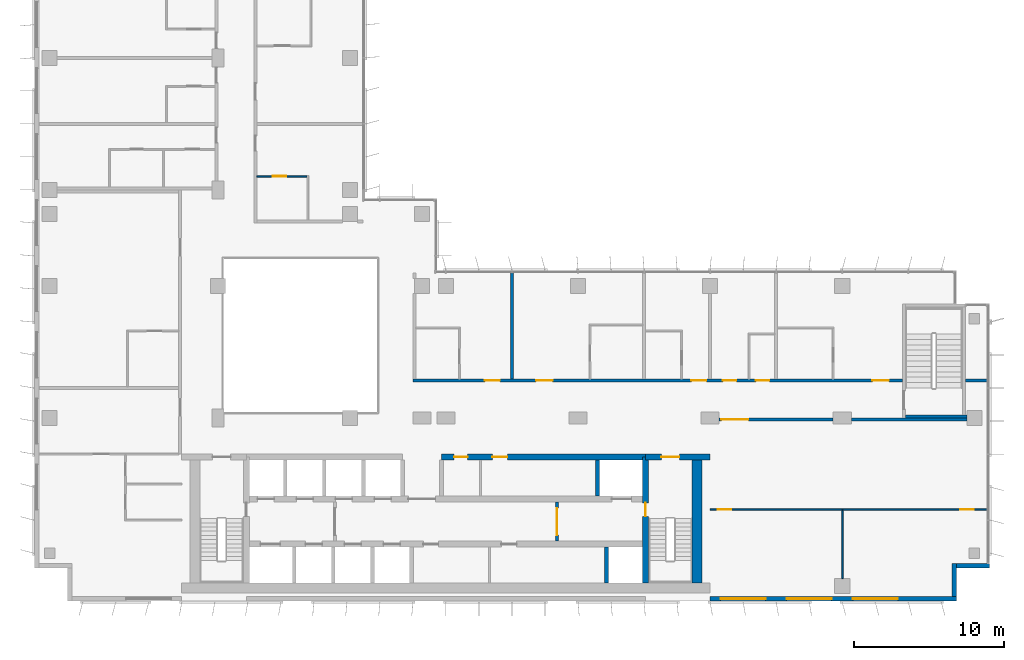
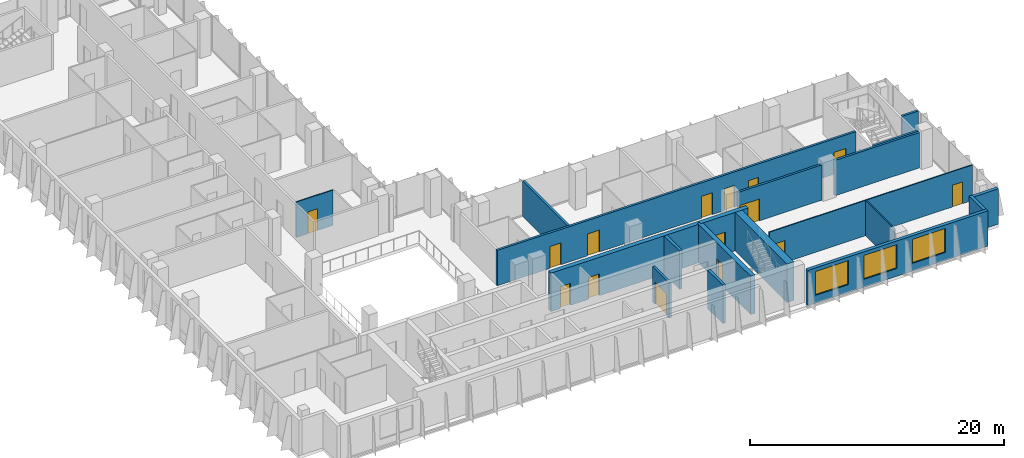
# One storey, part 14 of 21: 19 walls, 15 doors, 3 windows, 18 openings.
"""IFC4 building model written with IfcOpenShell, lengths in metres."""

from ifc_helpers import new_model, si_unit, direction, frame, frame_2d, origin, place, context, subcontext, project, spatial, rectangle, extrude, material, layer, layer_set, type_object, element, fill, save


model = new_model("IFC4")

# Units and contexts
model_context = context("Model", 3, precision=1e-05, world=origin(), true_north=direction((0.0, 1.0)))
body_context = subcontext(model_context, "Body", "Model", "MODEL_VIEW")
ifc_project = project(units=[si_unit("LENGTHUNIT", "METRE"), si_unit("AREAUNIT", "SQUARE_METRE"), si_unit("VOLUMEUNIT", "CUBIC_METRE"), si_unit("PLANEANGLEUNIT", "RADIAN"), si_unit("MASSUNIT", "GRAM", prefix="KILO")], contexts=[model_context])

# Site, building, storey
site_placement = place(None, origin())
site = spatial("IfcSite", under=ifc_project, at=site_placement, CompositionType="ELEMENT")
building_placement = place(site_placement, origin())
building = spatial("IfcBuilding", under=site, at=building_placement, Name="Kemantara Hotel Tower", CompositionType="ELEMENT")
storey_placement = place(building_placement, frame((0.0, 0.0, 175.300048828125)))
storey = spatial("IfcBuildingStorey", under=building, at=storey_placement, Name="L43", CompositionType="ELEMENT", Elevation=175.300048828125)

# Wall, openings, windows
ifc_material_1 = material(Name="Bronze anodised aluminium cladding on insulated steel stud wall", Category="steel")
ifc_layer_1 = layer(ifc_material_1, 0.300048828125)
ifc_layer_set_1 = layer_set([ifc_layer_1], Name="Bronze anodised aluminium cladding on insulated steel stud wall")
wall_type_1 = type_object("IfcWallType", Name="BRONZE METAL-CLAD EXTERNAL WALL 300", PredefinedType="STANDARD", material=ifc_layer_set_1)
wall_1_placement = place(storey_placement, frame((45.0, 0.14990234375, 0.0), z_axis=(0.0, 0.0, 1.0), x_axis=(1.0, 0.0, 0.0)))
wall_1 = element("IfcWall", 1, at=wall_1_placement, inside=storey, type_object=wall_type_1, Name="EXTERNAL WALL L43 T3-R08-3", PredefinedType="STANDARD", context=body_context, shape_type="SweptSolid", body=[
    extrude(rectangle(XDim=16.39990234375, YDim=0.300048828125, at=frame_2d((8.199951171875, 0.0))), origin(), (0.0, 0.0, 1.0), 3.39990234375),
])
opening_1_placement = place(wall_1_placement, frame((0.699951171875, 0.0, 0.75)))
opening_1 = element("IfcOpeningElement", 2, at=opening_1_placement, cuts=wall_1, Name="Opening W1", PredefinedType="OPENING", context=body_context, shape_type="SweptSolid", body=[
    extrude(rectangle(XDim=3.0, YDim=2.300048828125, at=frame_2d((1.5, 1.14990234375))), frame((0.0, 0.159912109375, 0.0), z_axis=(0.0, -1.0, 0.0), x_axis=(1.0, 0.0, 0.0)), (0.0, 0.0, 1.0), 0.320068359375),
])
opening_2_placement = place(wall_1_placement, frame((5.10009765625, 0.0, 0.75)))
opening_2 = element("IfcOpeningElement", 3, at=opening_2_placement, cuts=wall_1, Name="Opening W1", PredefinedType="OPENING", context=body_context, shape_type="SweptSolid", body=[
    extrude(rectangle(XDim=3.0, YDim=2.300048828125, at=frame_2d((1.5, 1.14990234375))), frame((0.0, 0.159912109375, 0.0), z_axis=(0.0, -1.0, 0.0), x_axis=(1.0, 0.0, 0.0)), (0.0, 0.0, 1.0), 0.320068359375),
])
opening_3_placement = place(wall_1_placement, frame((9.5, 0.0, 0.75)))
opening_3 = element("IfcOpeningElement", 4, at=opening_3_placement, cuts=wall_1, Name="Opening W1", PredefinedType="OPENING", context=body_context, shape_type="SweptSolid", body=[
    extrude(rectangle(XDim=3.0, YDim=2.300048828125, at=frame_2d((1.5, 1.14990234375))), frame((0.0, 0.159912109375, 0.0), z_axis=(0.0, -1.0, 0.0), x_axis=(1.0, 0.0, 0.0)), (0.0, 0.0, 1.0), 0.320068359375),
])
ifc_material_2 = material(Name="Low-E tinted double insulated glass in bronze anodised aluminium frame", Category="aluminium")
window_type = type_object("IfcWindowType", Name="CHICAGO WINDOW, TRIPLE PANEL 3000x2300", PartitioningType="TRIPLE_PANEL_VERTICAL", PredefinedType="WINDOW", material=ifc_material_2)
window_1_placement = place(opening_1_placement, origin())
window_1 = element("IfcWindow", 5, at=window_1_placement, inside=storey, type_object=window_type, Name="CHICAGO WINDOW L43 T3-R08-450", OverallHeight=2.300048828125, OverallWidth=3.0, PartitioningType="SINGLE_PANEL", PredefinedType="WINDOW", context=body_context, shape_type="SweptSolid", body=[
    extrude(rectangle(XDim=3.0, YDim=2.300048828125, at=frame_2d((1.5, 1.14990234375))), frame((0.0, 0.030029296875, 0.0), z_axis=(0.0, -1.0, 0.0), x_axis=(1.0, 0.0, 0.0)), (0.0, 0.0, 1.0), 0.06005859375),
])
fill(opening_1, window_1)
window_2_placement = place(opening_2_placement, origin())
window_2 = element("IfcWindow", 6, at=window_2_placement, inside=storey, type_object=window_type, Name="CHICAGO WINDOW L43 T3-R08-494", OverallHeight=2.300048828125, OverallWidth=3.0, PartitioningType="SINGLE_PANEL", PredefinedType="WINDOW", context=body_context, shape_type="SweptSolid", body=[
    extrude(rectangle(XDim=3.0, YDim=2.300048828125, at=frame_2d((1.5, 1.14990234375))), frame((0.0, 0.030029296875, 0.0), z_axis=(0.0, -1.0, 0.0), x_axis=(1.0, 0.0, 0.0)), (0.0, 0.0, 1.0), 0.06005859375),
])
fill(opening_2, window_2)
window_3_placement = place(opening_3_placement, origin())
window_3 = element("IfcWindow", 7, at=window_3_placement, inside=storey, type_object=window_type, Name="CHICAGO WINDOW L43 T3-R08-538", OverallHeight=2.300048828125, OverallWidth=3.0, PartitioningType="SINGLE_PANEL", PredefinedType="WINDOW", context=body_context, shape_type="SweptSolid", body=[
    extrude(rectangle(XDim=3.0, YDim=2.300048828125, at=frame_2d((1.5, 1.14990234375))), frame((0.0, 0.030029296875, 0.0), z_axis=(0.0, -1.0, 0.0), x_axis=(1.0, 0.0, 0.0)), (0.0, 0.0, 1.0), 0.06005859375),
])
fill(opening_3, window_3)

# Walls
wall_2_placement = place(storey_placement, frame((61.25, 0.300048828125, 0.0), z_axis=(0.0, 0.0, 1.0), x_axis=(0.0, 1.0, 0.0)))
element("IfcWall", 8, at=wall_2_placement, inside=storey, type_object=wall_type_1, Name="EXTERNAL WALL L43 T3-R09", PredefinedType="STANDARD", context=body_context, shape_type="SweptSolid", body=[
    extrude(rectangle(XDim=2.199951171875, YDim=0.300048828125, at=frame_2d((1.10009765625, 0.0))), origin(), (0.0, 0.0, 1.0), 3.39990234375),
])
wall_3_placement = place(storey_placement, frame((61.39990234375, 2.35009765625, 0.0), z_axis=(0.0, 0.0, 1.0), x_axis=(1.0, 0.0, 0.0)))
element("IfcWall", 9, at=wall_3_placement, inside=storey, type_object=wall_type_1, Name="EXTERNAL WALL L43 T3-R10", PredefinedType="STANDARD", context=body_context, shape_type="SweptSolid", body=[
    extrude(rectangle(XDim=2.2001953125, YDim=0.300048828125, at=frame_2d((1.10009765625, 0.0))), origin(), (0.0, 0.0, 1.0), 3.39990234375),
])
ifc_material_3 = material(Name="Concrete fc 60 MPa", Category="concrete")
ifc_layer_2 = layer(ifc_material_3, 0.25)
ifc_layer_set_2 = layer_set([ifc_layer_2], Name="Concrete fc 60 MPa")
wall_type_2 = type_object("IfcWallType", Name="CORE WALL 250 FC60", PredefinedType="SHEAR", material=ifc_layer_set_2)
wall_4_placement = place(storey_placement, frame((38.10009765625, 1.199951171875, 0.0), z_axis=(0.0, 0.0, 1.0), x_axis=(0.0, 1.0, 0.0)))
element("IfcWall", 10, at=wall_4_placement, inside=storey, type_object=wall_type_2, Name="CORE WALL CW-DS38.1", PredefinedType="SHEAR", context=body_context, shape_type="SweptSolid", body=[
    extrude(rectangle(XDim=2.400146484375, YDim=0.25, at=frame_2d((1.2001953125, 0.0))), origin(), (0.0, 0.0, 1.0), 3.699951171875),
])
wall_5_placement = place(storey_placement, frame((37.5, 7.0, 0.0), z_axis=(0.0, 0.0, 1.0), x_axis=(0.0, 1.0, 0.0)))
element("IfcWall", 11, at=wall_5_placement, inside=storey, type_object=wall_type_2, Name="CORE WALL CW-DN37.5", PredefinedType="SHEAR", context=body_context, shape_type="SweptSolid", body=[
    extrude(rectangle(XDim=2.39990234375, YDim=0.25, at=frame_2d((1.199951171875, 0.0))), origin(), (0.0, 0.0, 1.0), 3.699951171875),
])

# Wall, opening, door
ifc_layer_3 = layer(ifc_material_3, 0.39990234375)
ifc_layer_set_3 = layer_set([ifc_layer_3], Name="Concrete fc 60 MPa")
wall_type_3 = type_object("IfcWallType", Name="CORE WALL 400 FC60", PredefinedType="SHEAR", material=ifc_layer_set_3)
wall_6_placement = place(storey_placement, frame((40.699951171875, 9.60009765625, 0.0), z_axis=(0.0, 0.0, 1.0), x_axis=(1.0, 0.0, 0.0)))
wall_6 = element("IfcWall", 12, at=wall_6_placement, inside=storey, type_object=wall_type_3, Name="CORE WALL CW-N2", PredefinedType="SHEAR", context=body_context, shape_type="SweptSolid", body=[
    extrude(rectangle(XDim=4.300048828125, YDim=0.39990234375, at=frame_2d((2.14990234375, 0.0))), origin(), (0.0, 0.0, 1.0), 3.699951171875),
])
opening_4_placement = place(wall_6_placement, frame((1.050048828125, 0.0, 0.0)))
opening_4 = element("IfcOpeningElement", 13, at=opening_4_placement, cuts=wall_6, Name="Opening C26-ST2-C", PredefinedType="OPENING", context=body_context, shape_type="SweptSolid", body=[
    extrude(rectangle(XDim=1.199951171875, YDim=2.10009765625, at=frame_2d((0.60009765625, 1.050048828125))), frame((0.0, 0.2099609375, 0.0), z_axis=(0.0, -1.0, 0.0), x_axis=(1.0, 0.0, 0.0)), (0.0, 0.0, 1.0), 0.419921875),
])
ifc_material_4 = material(Name="Steel fire door", Category="steel")
door_type_1 = type_object("IfcDoorType", Name="Fire door FD90 1200 x 2100", OperationType="NOTDEFINED", PredefinedType="DOOR", material=ifc_material_4)
door_1_placement = place(opening_4_placement, frame((1.199951171875, 0.0, 0.0), z_axis=(0.0, 0.0, 1.0), x_axis=(-1.0, 0.0, 0.0)))
door_1 = element("IfcDoor", 14, at=door_1_placement, inside=storey, type_object=door_type_1, Name="Stair ST2 door to corridor", OperationType="SINGLE_SWING_RIGHT", OverallHeight=2.10009765625, OverallWidth=1.199951171875, PredefinedType="DOOR", context=body_context, shape_type="SweptSolid", body=[
    extrude(rectangle(XDim=1.199951171875, YDim=2.10009765625, at=frame_2d((0.60009765625, 1.050048828125))), frame((0.0, 0.02490234375, 0.0), z_axis=(0.0, -1.0, 0.0), x_axis=(1.0, 0.0, 0.0)), (0.0, 0.0, 1.0), 0.050048828125),
])
fill(opening_4, door_1)

# Wall, openings, doors
wall_7_placement = place(storey_placement, frame((27.10009765625, 9.60009765625, 0.0), z_axis=(0.0, 0.0, 1.0), x_axis=(1.0, 0.0, 0.0)))
wall_7 = element("IfcWall", 15, at=wall_7_placement, inside=storey, type_object=wall_type_3, Name="CORE WALL CW-NN2", PredefinedType="SHEAR", context=body_context, shape_type="SweptSolid", body=[
    extrude(rectangle(XDim=13.599853515625, YDim=0.39990234375, at=frame_2d((6.7998046875, 0.0))), origin(), (0.0, 0.0, 1.0), 3.699951171875),
])
opening_5_placement = place(wall_7_placement, frame((0.85009765625, 0.0, 0.0)))
opening_5 = element("IfcOpeningElement", 16, at=opening_5_placement, cuts=wall_7, Name="Opening C26-R-NE1", PredefinedType="OPENING", context=body_context, shape_type="SweptSolid", body=[
    extrude(rectangle(XDim=0.89990234375, YDim=2.10009765625, at=frame_2d((0.449951171875, 1.050048828125))), frame((0.0, 0.2099609375, 0.0), z_axis=(0.0, -1.0, 0.0), x_axis=(1.0, 0.0, 0.0)), (0.0, 0.0, 1.0), 0.419921875),
])
opening_6_placement = place(wall_7_placement, frame((3.39990234375, 0.0, 0.0)))
opening_6 = element("IfcOpeningElement", 17, at=opening_6_placement, cuts=wall_7, Name="Opening C26-R-NE2", PredefinedType="OPENING", context=body_context, shape_type="SweptSolid", body=[
    extrude(rectangle(XDim=1.0, YDim=2.10009765625, at=frame_2d((0.5, 1.050048828125))), frame((0.0, 0.2099609375, 0.0), z_axis=(0.0, -1.0, 0.0), x_axis=(1.0, 0.0, 0.0)), (0.0, 0.0, 1.0), 0.419921875),
])
door_type_2 = type_object("IfcDoorType", Name="Fire door FD30S 1000 x 2100", OperationType="NOTDEFINED", PredefinedType="DOOR", material=ifc_material_4)
door_2_placement = place(opening_6_placement, frame((1.0, 0.0, 0.0), z_axis=(0.0, 0.0, 1.0), x_axis=(-1.0, 0.0, 0.0)))
door_2 = element("IfcDoor", 18, at=door_2_placement, inside=storey, type_object=door_type_2, Name="Linen Store door", OperationType="SINGLE_SWING_RIGHT", OverallHeight=2.10009765625, OverallWidth=1.0, PredefinedType="DOOR", context=body_context, shape_type="SweptSolid", body=[
    extrude(rectangle(XDim=1.0, YDim=2.10009765625, at=frame_2d((0.5, 1.050048828125))), frame((0.0, 0.02490234375, 0.0), z_axis=(0.0, -1.0, 0.0), x_axis=(1.0, 0.0, 0.0)), (0.0, 0.0, 1.0), 0.050048828125),
])
fill(opening_6, door_2)
door_type_3 = type_object("IfcDoorType", Name="Fire door FD30S 900 x 2100", OperationType="NOTDEFINED", PredefinedType="DOOR", material=ifc_material_4)
door_3_placement = place(opening_5_placement, frame((0.89990234375, 0.0, 0.0), z_axis=(0.0, 0.0, 1.0), x_axis=(-1.0, 0.0, 0.0)))
door_3 = element("IfcDoor", 19, at=door_3_placement, inside=storey, type_object=door_type_3, Name="Staff Wc door", OperationType="SINGLE_SWING_RIGHT", OverallHeight=2.10009765625, OverallWidth=0.89990234375, PredefinedType="DOOR", context=body_context, shape_type="SweptSolid", body=[
    extrude(rectangle(XDim=0.89990234375, YDim=2.10009765625, at=frame_2d((0.449951171875, 1.050048828125))), frame((0.0, 0.02490234375, 0.0), z_axis=(0.0, -1.0, 0.0), x_axis=(1.0, 0.0, 0.0)), (0.0, 0.0, 1.0), 0.050048828125),
])
fill(opening_5, door_3)

# Wall, opening, door
wall_8_placement = place(storey_placement, frame((40.699951171875, 1.199951171875, 0.0), z_axis=(0.0, 0.0, 1.0), x_axis=(0.0, 1.0, 0.0)))
wall_8 = element("IfcWall", 20, at=wall_8_placement, inside=storey, type_object=wall_type_3, Name="CORE WALL CW-ST2W", PredefinedType="SHEAR", context=body_context, shape_type="SweptSolid", body=[
    extrude(rectangle(XDim=8.400146484375, YDim=0.39990234375, at=frame_2d((4.2001953125, 0.0))), origin(), (0.0, 0.0, 1.0), 3.699951171875),
])
opening_7_placement = place(wall_8_placement, frame((4.449951171875, 0.0, 0.0)))
opening_7 = element("IfcOpeningElement", 21, at=opening_7_placement, cuts=wall_8, Name="Opening C26-ST2-F", PredefinedType="OPENING", context=body_context, shape_type="SweptSolid", body=[
    extrude(rectangle(XDim=0.89990234375, YDim=2.10009765625, at=frame_2d((0.449951171875, 1.050048828125))), frame((0.0, 0.2099609375, 0.0), z_axis=(0.0, -1.0, 0.0), x_axis=(1.0, 0.0, 0.0)), (0.0, 0.0, 1.0), 0.419921875),
])
door_type_4 = type_object("IfcDoorType", Name="Fire door FD90 900 x 2100", OperationType="NOTDEFINED", PredefinedType="DOOR", material=ifc_material_4)
door_4_placement = place(opening_7_placement, frame((0.89990234375, 0.0, 0.0), z_axis=(0.0, 0.0, 1.0), x_axis=(-1.0, 0.0, 0.0)))
door_4 = element("IfcDoor", 22, at=door_4_placement, inside=storey, type_object=door_type_4, Name="Stair ST2 door to firefighting lobby", OperationType="SINGLE_SWING_LEFT", OverallHeight=2.10009765625, OverallWidth=0.89990234375, PredefinedType="DOOR", context=body_context, shape_type="SweptSolid", body=[
    extrude(rectangle(XDim=0.89990234375, YDim=2.10009765625, at=frame_2d((0.449951171875, 1.050048828125))), frame((0.0, 0.02490234375, 0.0), z_axis=(0.0, -1.0, 0.0), x_axis=(1.0, 0.0, 0.0)), (0.0, 0.0, 1.0), 0.050048828125),
])
fill(opening_7, door_4)

# Wall
ifc_layer_4 = layer(ifc_material_3, 0.64990234375)
ifc_layer_set_4 = layer_set([ifc_layer_4], Name="Concrete fc 60 MPa")
wall_type_4 = type_object("IfcWallType", Name="CORE WALL 650 FC60", PredefinedType="SHEAR", material=ifc_layer_set_4)
wall_9_placement = place(storey_placement, frame((44.125, 1.199951171875, 0.0), z_axis=(0.0, 0.0, 1.0), x_axis=(0.0, 1.0, 0.0)))
element("IfcWall", 23, at=wall_9_placement, inside=storey, type_object=wall_type_4, Name="CORE WALL CW-E", PredefinedType="SHEAR", context=body_context, shape_type="SweptSolid", body=[
    extrude(rectangle(XDim=8.60009765625, YDim=0.64990234375, at=frame_2d((4.300048828125, 0.0))), origin(), (0.0, 0.0, 1.0), 3.699951171875),
])

# Wall, opening, door
ifc_material_5 = material(Name="Gypsum board partition, steel studs and mineral wool, 200 mm", Category="steel")
ifc_layer_5 = layer(ifc_material_5, 0.199951171875)
ifc_layer_set_5 = layer_set([ifc_layer_5], Name="Gypsum board partition, steel studs and mineral wool, 200 mm")
wall_type_5 = type_object("IfcWallType", Name="CORRIDOR WALL 200", PredefinedType="PARTITIONING", material=ifc_layer_set_5)
wall_10_placement = place(storey_placement, frame((53.199951171875, 12.10009765625, 0.0), z_axis=(0.0, 0.0, 1.0), x_axis=(-1.0, 0.0, 0.0)))
wall_10 = element("IfcWall", 24, at=wall_10_placement, inside=storey, type_object=wall_type_5, Name="CORRIDOR WALL 200 001", PredefinedType="PARTITIONING", context=body_context, shape_type="SweptSolid", body=[
    extrude(rectangle(XDim=7.599853515625, YDim=0.199951171875, at=frame_2d((3.7998046875, 0.0))), origin(), (0.0, 0.0, 1.0), 3.39990234375),
])
opening_8_placement = place(wall_10_placement, frame((5.64990234375, 0.0, 0.0)))
opening_8 = element("IfcOpeningElement", 25, at=opening_8_placement, cuts=wall_10, Name="Opening F20-001", PredefinedType="OPENING", context=body_context, shape_type="SweptSolid", body=[
    extrude(rectangle(XDim=1.800048828125, YDim=2.10009765625, at=frame_2d((0.89990234375, 1.050048828125))), frame((0.0, 0.10986328125, 0.0), z_axis=(0.0, -1.0, 0.0), x_axis=(1.0, 0.0, 0.0)), (0.0, 0.0, 1.0), 0.219970703125),
])
ifc_material_6 = material(Name="Hardwood veneer door leaf with steel frame", Category="steel")
door_type_5 = type_object("IfcDoorType", Name="AMENITY ROOM DOOR 1800 X 2100 FD30S", OperationType="NOTDEFINED", PredefinedType="DOOR", material=ifc_material_6)
door_5_placement = place(opening_8_placement, origin())
door_5 = element("IfcDoor", 26, at=door_5_placement, inside=storey, type_object=door_type_5, Name="AMENITY ROOM DOOR F20-001", OperationType="DOUBLE_DOOR_SINGLE_SWING", OverallHeight=2.10009765625, OverallWidth=1.800048828125, PredefinedType="DOOR", context=body_context, shape_type="SweptSolid", body=[
    extrude(rectangle(XDim=1.800048828125, YDim=2.10009765625, at=frame_2d((0.89990234375, 1.050048828125))), frame((0.0, 0.02490234375, 0.0), z_axis=(0.0, -1.0, 0.0), x_axis=(1.0, 0.0, 0.0)), (0.0, 0.0, 1.0), 0.050048828125),
])
fill(opening_8, door_5)

# Wall
wall_11_placement = place(storey_placement, frame((54.400146484375, 12.10009765625, 0.0), z_axis=(0.0, 0.0, 1.0), x_axis=(1.0, 0.0, 0.0)))
element("IfcWall", 27, at=wall_11_placement, inside=storey, type_object=wall_type_5, Name="CORRIDOR WALL 200 002", PredefinedType="PARTITIONING", context=body_context, shape_type="SweptSolid", body=[
    extrude(rectangle(XDim=7.69970703125, YDim=0.199951171875, at=frame_2d((3.849853515625, 0.0))), origin(), (0.0, 0.0, 1.0), 3.39990234375),
])

# Wall, openings, doors
wall_12_placement = place(storey_placement, frame((25.199951171875, 14.699951171875, 0.0), z_axis=(0.0, 0.0, 1.0), x_axis=(1.0, 0.0, 0.0)))
wall_12 = element("IfcWall", 28, at=wall_12_placement, inside=storey, type_object=wall_type_5, Name="CORRIDOR WALL 200 003", PredefinedType="PARTITIONING", context=body_context, shape_type="SweptSolid", body=[
    extrude(rectangle(XDim=32.60009765625, YDim=0.199951171875, at=frame_2d((16.300048828125, 0.0))), origin(), (0.0, 0.0, 1.0), 3.39990234375),
])
opening_9_placement = place(wall_12_placement, frame((4.800048828125, 0.0, 0.0)))
opening_9 = element("IfcOpeningElement", 29, at=opening_9_placement, cuts=wall_12, Name="Opening F20-004", PredefinedType="OPENING", context=body_context, shape_type="SweptSolid", body=[
    extrude(rectangle(XDim=1.0, YDim=2.10009765625, at=frame_2d((0.5, 1.050048828125))), frame((0.0, 0.10986328125, 0.0), z_axis=(0.0, -1.0, 0.0), x_axis=(1.0, 0.0, 0.0)), (0.0, 0.0, 1.0), 0.219970703125),
])
opening_10_placement = place(wall_12_placement, frame((8.199951171875, 0.0, 0.0)))
opening_10 = element("IfcOpeningElement", 30, at=opening_10_placement, cuts=wall_12, Name="Opening F20-006", PredefinedType="OPENING", context=body_context, shape_type="SweptSolid", body=[
    extrude(rectangle(XDim=1.10009765625, YDim=2.10009765625, at=frame_2d((0.550048828125, 1.050048828125))), frame((0.0, 0.10986328125, 0.0), z_axis=(0.0, -1.0, 0.0), x_axis=(1.0, 0.0, 0.0)), (0.0, 0.0, 1.0), 0.219970703125),
])
opening_11_placement = place(wall_12_placement, frame((18.550048828125, 0.0, 0.0)))
opening_11 = element("IfcOpeningElement", 31, at=opening_11_placement, cuts=wall_12, Name="Opening F20-008", PredefinedType="OPENING", context=body_context, shape_type="SweptSolid", body=[
    extrude(rectangle(XDim=1.0, YDim=2.10009765625, at=frame_2d((0.5, 1.050048828125))), frame((0.0, 0.10986328125, 0.0), z_axis=(0.0, -1.0, 0.0), x_axis=(1.0, 0.0, 0.0)), (0.0, 0.0, 1.0), 0.219970703125),
])
opening_12_placement = place(wall_12_placement, frame((20.64990234375, 0.0, 0.0)))
opening_12 = element("IfcOpeningElement", 32, at=opening_12_placement, cuts=wall_12, Name="Opening F20-010", PredefinedType="OPENING", context=body_context, shape_type="SweptSolid", body=[
    extrude(rectangle(XDim=0.89990234375, YDim=2.10009765625, at=frame_2d((0.449951171875, 1.050048828125))), frame((0.0, 0.10986328125, 0.0), z_axis=(0.0, -1.0, 0.0), x_axis=(1.0, 0.0, 0.0)), (0.0, 0.0, 1.0), 0.219970703125),
])
opening_13_placement = place(wall_12_placement, frame((22.85009765625, 0.0, 0.0)))
opening_13 = element("IfcOpeningElement", 33, at=opening_13_placement, cuts=wall_12, Name="Opening F20-011", PredefinedType="OPENING", context=body_context, shape_type="SweptSolid", body=[
    extrude(rectangle(XDim=0.89990234375, YDim=2.10009765625, at=frame_2d((0.449951171875, 1.050048828125))), frame((0.0, 0.10986328125, 0.0), z_axis=(0.0, -1.0, 0.0), x_axis=(1.0, 0.0, 0.0)), (0.0, 0.0, 1.0), 0.219970703125),
])
opening_14_placement = place(wall_12_placement, frame((30.60009765625, 0.0, 0.0)))
opening_14 = element("IfcOpeningElement", 34, at=opening_14_placement, cuts=wall_12, Name="Opening F20-012", PredefinedType="OPENING", context=body_context, shape_type="SweptSolid", body=[
    extrude(rectangle(XDim=1.10009765625, YDim=2.10009765625, at=frame_2d((0.550048828125, 1.050048828125))), frame((0.0, 0.10986328125, 0.0), z_axis=(0.0, -1.0, 0.0), x_axis=(1.0, 0.0, 0.0)), (0.0, 0.0, 1.0), 0.219970703125),
])
door_type_6 = type_object("IfcDoorType", Name="GUEST ROOM DOOR 1000 X 2100 FD30S", OperationType="NOTDEFINED", PredefinedType="DOOR", material=ifc_material_6)
door_6_placement = place(opening_9_placement, origin())
door_6 = element("IfcDoor", 35, at=door_6_placement, inside=storey, type_object=door_type_6, Name="GUEST ROOM DOOR F20-004", OperationType="SINGLE_SWING_RIGHT", OverallHeight=2.10009765625, OverallWidth=1.0, PredefinedType="DOOR", context=body_context, shape_type="SweptSolid", body=[
    extrude(rectangle(XDim=1.0, YDim=2.10009765625, at=frame_2d((0.5, 1.050048828125))), frame((0.0, 0.02490234375, 0.0), z_axis=(0.0, -1.0, 0.0), x_axis=(1.0, 0.0, 0.0)), (0.0, 0.0, 1.0), 0.050048828125),
])
fill(opening_9, door_6)
door_7_placement = place(opening_11_placement, origin())
door_7 = element("IfcDoor", 36, at=door_7_placement, inside=storey, type_object=door_type_6, Name="GUEST ROOM DOOR F20-008", OperationType="SINGLE_SWING_RIGHT", OverallHeight=2.10009765625, OverallWidth=1.0, PredefinedType="DOOR", context=body_context, shape_type="SweptSolid", body=[
    extrude(rectangle(XDim=1.0, YDim=2.10009765625, at=frame_2d((0.5, 1.050048828125))), frame((0.0, 0.02490234375, 0.0), z_axis=(0.0, -1.0, 0.0), x_axis=(1.0, 0.0, 0.0)), (0.0, 0.0, 1.0), 0.050048828125),
])
fill(opening_11, door_7)
door_type_7 = type_object("IfcDoorType", Name="GUEST ROOM DOOR 1100 X 2100 FD30S", OperationType="NOTDEFINED", PredefinedType="DOOR", material=ifc_material_6)
door_8_placement = place(opening_10_placement, origin())
door_8 = element("IfcDoor", 37, at=door_8_placement, inside=storey, type_object=door_type_7, Name="GUEST ROOM DOOR F20-006", OperationType="SINGLE_SWING_LEFT", OverallHeight=2.10009765625, OverallWidth=1.10009765625, PredefinedType="DOOR", context=body_context, shape_type="SweptSolid", body=[
    extrude(rectangle(XDim=1.10009765625, YDim=2.10009765625, at=frame_2d((0.550048828125, 1.050048828125))), frame((0.0, 0.02490234375, 0.0), z_axis=(0.0, -1.0, 0.0), x_axis=(1.0, 0.0, 0.0)), (0.0, 0.0, 1.0), 0.050048828125),
])
fill(opening_10, door_8)
ifc_material_7 = material(Name="Steel door leaf with steel frame", Category="steel")
door_type_8 = type_object("IfcDoorType", Name="SERVICE ROOM DOOR 900 X 2100 FD60", OperationType="NOTDEFINED", PredefinedType="DOOR", material=ifc_material_7)
door_9_placement = place(opening_12_placement, origin())
door_9 = element("IfcDoor", 38, at=door_9_placement, inside=storey, type_object=door_type_8, Name="SERVICE ROOM DOOR F20-010", OperationType="SINGLE_SWING_LEFT", OverallHeight=2.10009765625, OverallWidth=0.89990234375, PredefinedType="DOOR", context=body_context, shape_type="SweptSolid", body=[
    extrude(rectangle(XDim=0.89990234375, YDim=2.10009765625, at=frame_2d((0.449951171875, 1.050048828125))), frame((0.0, 0.02490234375, 0.0), z_axis=(0.0, -1.0, 0.0), x_axis=(1.0, 0.0, 0.0)), (0.0, 0.0, 1.0), 0.050048828125),
])
fill(opening_12, door_9)
door_10_placement = place(opening_13_placement, origin())
door_10 = element("IfcDoor", 39, at=door_10_placement, inside=storey, type_object=door_type_8, Name="SERVICE ROOM DOOR F20-011", OperationType="SINGLE_SWING_RIGHT", OverallHeight=2.10009765625, OverallWidth=0.89990234375, PredefinedType="DOOR", context=body_context, shape_type="SweptSolid", body=[
    extrude(rectangle(XDim=0.89990234375, YDim=2.10009765625, at=frame_2d((0.449951171875, 1.050048828125))), frame((0.0, 0.02490234375, 0.0), z_axis=(0.0, -1.0, 0.0), x_axis=(1.0, 0.0, 0.0)), (0.0, 0.0, 1.0), 0.050048828125),
])
fill(opening_13, door_10)
door_type_9 = type_object("IfcDoorType", Name="SUITE ENTRANCE DOOR 1100 X 2100 FD30S", OperationType="NOTDEFINED", PredefinedType="DOOR", material=ifc_material_6)
door_11_placement = place(opening_14_placement, origin())
door_11 = element("IfcDoor", 40, at=door_11_placement, inside=storey, type_object=door_type_9, Name="SUITE ENTRANCE DOOR F20-012", OperationType="SINGLE_SWING_RIGHT", OverallHeight=2.10009765625, OverallWidth=1.10009765625, PredefinedType="DOOR", context=body_context, shape_type="SweptSolid", body=[
    extrude(rectangle(XDim=1.10009765625, YDim=2.10009765625, at=frame_2d((0.550048828125, 1.050048828125))), frame((0.0, 0.02490234375, 0.0), z_axis=(0.0, -1.0, 0.0), x_axis=(1.0, 0.0, 0.0)), (0.0, 0.0, 1.0), 0.050048828125),
])
fill(opening_14, door_11)

# Walls
wall_13_placement = place(storey_placement, frame((62.0, 14.699951171875, 0.0), z_axis=(0.0, 0.0, 1.0), x_axis=(1.0, 0.0, 0.0)))
element("IfcWall", 41, at=wall_13_placement, inside=storey, type_object=wall_type_5, Name="CORRIDOR WALL 200 004", PredefinedType="PARTITIONING", context=body_context, shape_type="SweptSolid", body=[
    extrude(rectangle(XDim=1.47998046875, YDim=0.199951171875, at=frame_2d((0.739990234375, 0.0))), origin(), (0.0, 0.0, 1.0), 3.39990234375),
])
ifc_material_8 = material(Name="Concrete fc 40 MPa", Category="concrete")
ifc_layer_6 = layer(ifc_material_8, 0.199951171875)
ifc_layer_set_6 = layer_set([ifc_layer_6], Name="Concrete fc 40 MPa")
wall_type_6 = type_object("IfcWallType", Name="Concrete stair wall 200 mm", PredefinedType="SHEAR", material=ifc_layer_set_6)
wall_14_placement = place(storey_placement, frame((58.0, 12.300048828125, 0.0), z_axis=(0.0, 0.0, 1.0), x_axis=(1.0, 0.0, 0.0)))
element("IfcWall", 42, at=wall_14_placement, inside=storey, type_object=wall_type_6, Name="Stair ST3 enclosure wall S", PredefinedType="SHEAR", context=body_context, shape_type="SweptSolid", body=[
    extrude(rectangle(XDim=4.10009765625, YDim=0.199951171875, at=frame_2d((2.050048828125, 0.0))), origin(), (0.0, 0.0, 1.0), 3.39990234375),
])
ifc_layer_7 = layer(ifc_material_5, 0.199951171875)
ifc_layer_set_7 = layer_set([ifc_layer_7], Name="Gypsum board partition, steel studs and mineral wool, 200 mm")
wall_type_7 = type_object("IfcWallType", Name="GUEST ROOM PARTY WALL 200", PredefinedType="PARTITIONING", material=ifc_layer_set_7)
wall_15_placement = place(storey_placement, frame((31.800048828125, 14.800048828125, 0.0), z_axis=(0.0, 0.0, 1.0), x_axis=(0.0, 1.0, 0.0)))
element("IfcWall", 43, at=wall_15_placement, inside=storey, type_object=wall_type_7, Name="GUEST ROOM PARTY WALL 200 007", PredefinedType="PARTITIONING", context=body_context, shape_type="SweptSolid", body=[
    extrude(rectangle(XDim=7.070068359375, YDim=0.199951171875, at=frame_2d((3.53515625, 0.0))), origin(), (0.0, 0.0, 1.0), 3.39990234375),
])

# Wall, opening, door
ifc_material_9 = material(Name="Gypsum board shaft wall")
ifc_layer_8 = layer(ifc_material_9, 0.199951171875)
ifc_layer_set_8 = layer_set([ifc_layer_8], Name="Gypsum board shaft wall")
wall_type_8 = type_object("IfcWallType", Name="Gypsum board shaft wall 200 mm", PredefinedType="PARTITIONING", material=ifc_layer_set_8)
wall_16_placement = place(storey_placement, frame((34.800048828125, 4.0, 0.0), z_axis=(0.0, 0.0, 1.0), x_axis=(0.0, 1.0, 0.0)))
wall_16 = element("IfcWall", 44, at=wall_16_placement, inside=storey, type_object=wall_type_8, Name="Firefighting lobby partition east", PredefinedType="PARTITIONING", context=body_context, shape_type="SweptSolid", body=[
    extrude(rectangle(XDim=2.60009765625, YDim=0.199951171875, at=frame_2d((1.300048828125, 0.0))), origin(), (0.0, 0.0, 1.0), 3.39990234375),
])
opening_15_placement = place(wall_16_placement, frame((0.39990234375, 0.0, 0.0)))
opening_15 = element("IfcOpeningElement", 45, at=opening_15_placement, cuts=wall_16, Name="Opening C26-FFE", PredefinedType="OPENING", context=body_context, shape_type="SweptSolid", body=[
    extrude(rectangle(XDim=1.800048828125, YDim=2.10009765625, at=frame_2d((0.89990234375, 1.050048828125))), frame((0.0, 0.10986328125, 0.0), z_axis=(0.0, -1.0, 0.0), x_axis=(1.0, 0.0, 0.0)), (0.0, 0.0, 1.0), 0.219970703125),
])
door_type_10 = type_object("IfcDoorType", Name="Fire door pair FD60 1800 x 2100", OperationType="DOUBLE_DOOR_SINGLE_SWING", PredefinedType="DOOR", material=ifc_material_4)
door_12_placement = place(opening_15_placement, frame((1.800048828125, 0.0, 0.0), z_axis=(0.0, 0.0, 1.0), x_axis=(-1.0, 0.0, 0.0)))
door_12 = element("IfcDoor", 46, at=door_12_placement, inside=storey, type_object=door_type_10, Name="Firefighting lobby door east", OperationType="DOUBLE_DOOR_SINGLE_SWING", OverallHeight=2.10009765625, OverallWidth=1.800048828125, PredefinedType="DOOR", context=body_context, shape_type="SweptSolid", body=[
    extrude(rectangle(XDim=1.800048828125, YDim=2.10009765625, at=frame_2d((0.89990234375, 1.050048828125))), frame((0.0, 0.02490234375, 0.0), z_axis=(0.0, -1.0, 0.0), x_axis=(1.0, 0.0, 0.0)), (0.0, 0.0, 1.0), 0.050048828125),
])
fill(opening_15, door_12)

# Wall, openings, doors
ifc_material_10 = material(Name="Gypsum board partition on steel studs, 100 mm", Category="steel")
ifc_layer_9 = layer(ifc_material_10, 0.10009765625)
ifc_layer_set_9 = layer_set([ifc_layer_9], Name="Gypsum board partition on steel studs, 100 mm")
wall_type_9 = type_object("IfcWallType", Name="ROOM PARTITION 100", PredefinedType="PARTITIONING", material=ifc_layer_set_9)
wall_17_placement = place(storey_placement, frame((63.469970703125, 6.10009765625, 0.0), z_axis=(0.0, 0.0, 1.0), x_axis=(-1.0, 0.0, 0.0)))
wall_17 = element("IfcWall", 47, at=wall_17_placement, inside=storey, type_object=wall_type_9, Name="ROOM PARTITION 100 030", PredefinedType="PARTITIONING", context=body_context, shape_type="SweptSolid", body=[
    extrude(rectangle(XDim=18.469970703125, YDim=0.10009765625, at=frame_2d((9.23486328125, 0.0))), origin(), (0.0, 0.0, 1.0), 3.39990234375),
])
opening_16_placement = place(wall_17_placement, frame((17.070068359375, 0.0, 0.0)))
opening_16 = element("IfcOpeningElement", 48, at=opening_16_placement, cuts=wall_17, Name="Opening F20-002", PredefinedType="OPENING", context=body_context, shape_type="SweptSolid", body=[
    extrude(rectangle(XDim=0.89990234375, YDim=2.10009765625, at=frame_2d((0.449951171875, 1.050048828125))), frame((0.0, 0.06005859375, 0.0), z_axis=(0.0, -1.0, 0.0), x_axis=(1.0, 0.0, 0.0)), (0.0, 0.0, 1.0), 0.1201171875),
])
opening_17_placement = place(wall_17_placement, frame((0.919921875, 0.0, 0.0)))
opening_17 = element("IfcOpeningElement", 49, at=opening_17_placement, cuts=wall_17, Name="Opening F20-003", PredefinedType="OPENING", context=body_context, shape_type="SweptSolid", body=[
    extrude(rectangle(XDim=0.89990234375, YDim=2.10009765625, at=frame_2d((0.449951171875, 1.050048828125))), frame((0.0, 0.06005859375, 0.0), z_axis=(0.0, -1.0, 0.0), x_axis=(1.0, 0.0, 0.0)), (0.0, 0.0, 1.0), 0.1201171875),
])
door_type_11 = type_object("IfcDoorType", Name="INTERNAL DOOR 900 X 2100", OperationType="NOTDEFINED", PredefinedType="DOOR", material=ifc_material_6)
door_13_placement = place(opening_16_placement, origin())
door_13 = element("IfcDoor", 50, at=door_13_placement, inside=storey, type_object=door_type_11, Name="INTERNAL DOOR F20-002", OperationType="SINGLE_SWING_RIGHT", OverallHeight=2.10009765625, OverallWidth=0.89990234375, PredefinedType="DOOR", context=body_context, shape_type="SweptSolid", body=[
    extrude(rectangle(XDim=0.89990234375, YDim=2.10009765625, at=frame_2d((0.449951171875, 1.050048828125))), frame((0.0, 0.02490234375, 0.0), z_axis=(0.0, -1.0, 0.0), x_axis=(1.0, 0.0, 0.0)), (0.0, 0.0, 1.0), 0.050048828125),
])
fill(opening_16, door_13)
door_14_placement = place(opening_17_placement, origin())
door_14 = element("IfcDoor", 51, at=door_14_placement, inside=storey, type_object=door_type_11, Name="INTERNAL DOOR F20-003", OperationType="SINGLE_SWING_LEFT", OverallHeight=2.10009765625, OverallWidth=0.89990234375, PredefinedType="DOOR", context=body_context, shape_type="SweptSolid", body=[
    extrude(rectangle(XDim=0.89990234375, YDim=2.10009765625, at=frame_2d((0.449951171875, 1.050048828125))), frame((0.0, 0.02490234375, 0.0), z_axis=(0.0, -1.0, 0.0), x_axis=(1.0, 0.0, 0.0)), (0.0, 0.0, 1.0), 0.050048828125),
])
fill(opening_17, door_14)

# Wall
wall_18_placement = place(storey_placement, frame((53.800048828125, 1.5, 0.0), z_axis=(0.0, 0.0, 1.0), x_axis=(0.0, 1.0, 0.0)))
element("IfcWall", 52, at=wall_18_placement, inside=storey, type_object=wall_type_9, Name="ROOM PARTITION 100 031", PredefinedType="PARTITIONING", context=body_context, shape_type="SweptSolid", body=[
    extrude(rectangle(XDim=4.550048828125, YDim=0.10009765625, at=frame_2d((2.27490234375, 0.0))), origin(), (0.0, 0.0, 1.0), 3.39990234375),
])

# Wall, opening, door
wall_19_placement = place(storey_placement, frame((18.14990234375, 28.300048828125, 0.0), z_axis=(0.0, 0.0, 1.0), x_axis=(-1.0, 0.0, 0.0)))
wall_19 = element("IfcWall", 53, at=wall_19_placement, inside=storey, type_object=wall_type_9, Name="ROOM PARTITION 100 061", PredefinedType="PARTITIONING", context=body_context, shape_type="SweptSolid", body=[
    extrude(rectangle(XDim=3.349853515625, YDim=0.10009765625, at=frame_2d((1.6748046875, 0.0))), origin(), (0.0, 0.0, 1.0), 3.39990234375),
])
opening_18_placement = place(wall_19_placement, frame((1.39990234375, 0.0, 0.0)))
opening_18 = element("IfcOpeningElement", 54, at=opening_18_placement, cuts=wall_19, Name="Opening F20-034", PredefinedType="OPENING", context=body_context, shape_type="SweptSolid", body=[
    extrude(rectangle(XDim=0.89990234375, YDim=2.10009765625, at=frame_2d((0.449951171875, 1.050048828125))), frame((0.0, 0.06005859375, 0.0), z_axis=(0.0, -1.0, 0.0), x_axis=(1.0, 0.0, 0.0)), (0.0, 0.0, 1.0), 0.1201171875),
])
door_type_12 = type_object("IfcDoorType", Name="BATHROOM DOOR 900 X 2100", OperationType="NOTDEFINED", PredefinedType="DOOR", material=ifc_material_6)
door_15_placement = place(opening_18_placement, origin())
door_15 = element("IfcDoor", 55, at=door_15_placement, inside=storey, type_object=door_type_12, Name="BATHROOM DOOR F20-034", OperationType="SINGLE_SWING_RIGHT", OverallHeight=2.10009765625, OverallWidth=0.89990234375, PredefinedType="DOOR", context=body_context, shape_type="SweptSolid", body=[
    extrude(rectangle(XDim=0.89990234375, YDim=2.10009765625, at=frame_2d((0.449951171875, 1.050048828125))), frame((0.0, 0.02490234375, 0.0), z_axis=(0.0, -1.0, 0.0), x_axis=(1.0, 0.0, 0.0)), (0.0, 0.0, 1.0), 0.050048828125),
])
fill(opening_18, door_15)

save(model, "model.ifc")
